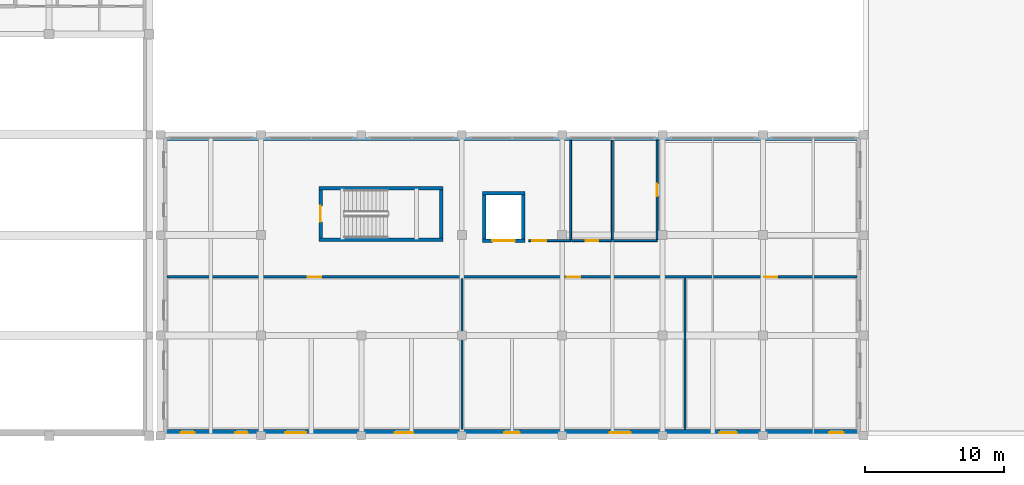
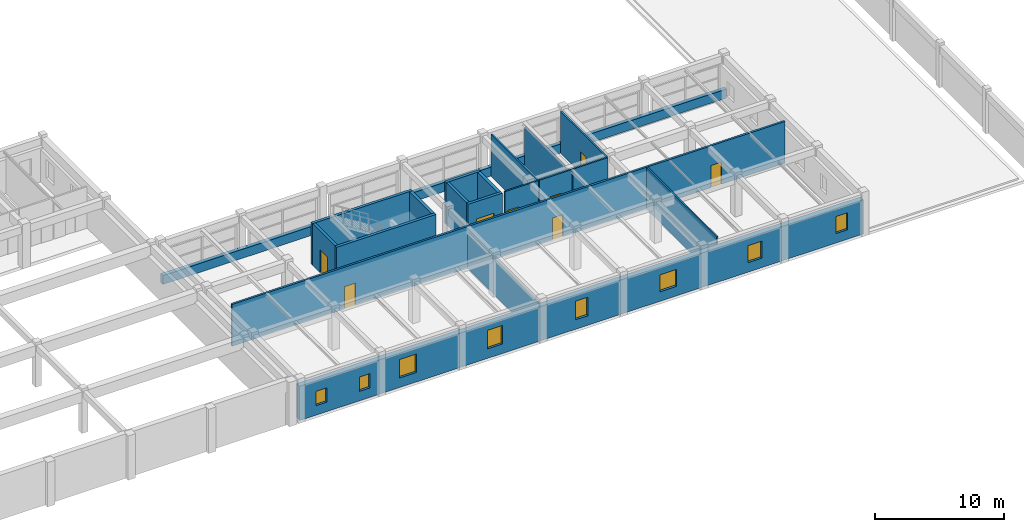
# One storey, part 47 of 67: 19 walls, 8 doors, 8 windows, 16 openings.
"""IFC4 building model written with IfcOpenShell, lengths in metres."""

from ifc_helpers import new_model, si_unit, direction, frame, frame_2d, origin, place, context, subcontext, project, spatial, rectangle, extrude, material, layer, layer_set, type_object, element, fill, save


model = new_model("IFC4")

# Units and contexts
model_context = context("Model", 3, precision=1e-05, world=origin(), true_north=direction((0.0, 1.0)))
body_context = subcontext(model_context, "Body", "Model", "MODEL_VIEW")
ifc_project = project(units=[si_unit("LENGTHUNIT", "METRE"), si_unit("AREAUNIT", "SQUARE_METRE"), si_unit("VOLUMEUNIT", "CUBIC_METRE"), si_unit("PLANEANGLEUNIT", "RADIAN"), si_unit("MASSUNIT", "GRAM", prefix="KILO")], contexts=[model_context])

# Site, building, storey
site_placement = place(None, origin())
site = spatial("IfcSite", under=ifc_project, at=site_placement, CompositionType="ELEMENT")
building_placement = place(site_placement, origin())
building = spatial("IfcBuilding", under=site, at=building_placement, Name="Bramveld Media Centre", CompositionType="ELEMENT")
storey_placement = place(building_placement, frame((0.0, 0.0, 5.39990234375)))
storey = spatial("IfcBuildingStorey", under=building, at=storey_placement, Name="L01", CompositionType="ELEMENT", Elevation=5.39990234375)

# Walls
ifc_material_1 = material(Name="Concrete C40/50 stair & lift core wall", Category="concrete")
ifc_layer_1 = layer(ifc_material_1, 0.25)
ifc_layer_set_1 = layer_set([ifc_layer_1], Name="Concrete C40/50 stair & lift core wall")
wall_type_1 = type_object("IfcWallType", Name="CWALL-SHEAR-250", PredefinedType="SHEAR", material=ifc_layer_set_1)
for number, where, z_axis, x_axis, name in (
    (1, (69.75, 14.074951171875, 0.0), (0.0, 0.0, 1.0), (1.0, 0.0, 0.0), "ST-06 L01 stair core shear wall S"),
    (2, (78.64990234375, 17.77490234375, 0.0), (0.0, 0.0, 1.0), (-1.0, 0.0, 0.0), "ST-06 L01 stair core shear wall N"),
):
    element("IfcWall", number, at=place(storey_placement, frame(where, z_axis=z_axis, x_axis=x_axis)), inside=storey, type_object=wall_type_1, Name=name, PredefinedType="SHEAR", context=body_context, shape_type="SweptSolid", body=[
        extrude(rectangle(XDim=8.89990234375, YDim=0.25, at=frame_2d((4.449951171875, 0.0))), origin(), (0.0, 0.0, 1.0), 3.9501953125),
    ])

# Wall, opening, door
wall_1_placement = place(storey_placement, frame((69.875, 17.64990234375, 0.0), z_axis=(0.0, 0.0, 1.0), x_axis=(0.0, -1.0, 0.0)))
wall_1 = element("IfcWall", 3, at=wall_1_placement, inside=storey, type_object=wall_type_1, Name="ST-06 L01 stair core shear wall W", PredefinedType="SHEAR", context=body_context, shape_type="SweptSolid", body=[
    extrude(rectangle(XDim=3.449951171875, YDim=0.25, at=frame_2d((1.72509765625, 0.0))), origin(), (0.0, 0.0, 1.0), 3.9501953125),
])
opening_1_placement = place(wall_1_placement, frame((1.14990234375, 0.0, 0.0)))
opening_1 = element("IfcOpeningElement", 4, at=opening_1_placement, cuts=wall_1, Name="Opening SD-06-L01", PredefinedType="OPENING", context=body_context, shape_type="SweptSolid", body=[
    extrude(rectangle(XDim=1.14990234375, YDim=2.14990234375, at=frame_2d((0.574951171875, 1.074951171875))), frame((0.0, 0.136962890625, 0.0), z_axis=(0.0, -1.0, 0.0), x_axis=(1.0, 0.0, 0.0)), (0.0, 0.0, 1.0), 0.27392578125),
])
ifc_material_2 = material(Name="Painted galvanized steel acoustic fire door with intumescent smoke seals", Category="steel")
door_type_1 = type_object("IfcDoorType", Name="DR-ST-1150", OperationType="NOTDEFINED", PredefinedType="DOOR", material=ifc_material_2)
door_1_placement = place(opening_1_placement, origin())
door_1 = element("IfcDoor", 5, at=door_1_placement, inside=storey, type_object=door_type_1, Name="ST-06 L01 pressurized stair fire door", OperationType="SINGLE_SWING_LEFT", OverallHeight=2.14990234375, OverallWidth=1.14990234375, PredefinedType="DOOR", context=body_context, shape_type="SweptSolid", body=[
    extrude(rectangle(XDim=1.14990234375, YDim=2.14990234375, at=frame_2d((0.574951171875, 1.074951171875))), frame((0.0, 0.02490234375, 0.0), z_axis=(0.0, -1.0, 0.0), x_axis=(1.0, 0.0, 0.0)), (0.0, 0.0, 1.0), 0.050048828125),
])
fill(opening_1, door_1)

# Wall
wall_2_placement = place(storey_placement, frame((78.52490234375, 14.199951171875, 0.0), z_axis=(0.0, 0.0, 1.0), x_axis=(0.0, 1.0, 0.0)))
element("IfcWall", 6, at=wall_2_placement, inside=storey, type_object=wall_type_1, Name="ST-06 L01 stair core shear wall E", PredefinedType="SHEAR", context=body_context, shape_type="SweptSolid", body=[
    extrude(rectangle(XDim=3.449951171875, YDim=0.25, at=frame_2d((1.72509765625, 0.0))), origin(), (0.0, 0.0, 1.0), 3.9501953125),
])

# Wall, opening, door
wall_3_placement = place(storey_placement, frame((81.47509765625, 14.0, 0.0), z_axis=(0.0, 0.0, 1.0), x_axis=(1.0, 0.0, 0.0)))
wall_3 = element("IfcWall", 7, at=wall_3_placement, inside=storey, type_object=wall_type_1, Name="GL-01 L01 lift shaft wall S", PredefinedType="SHEAR", context=body_context, shape_type="SweptSolid", body=[
    extrude(rectangle(XDim=3.0498046875, YDim=0.25, at=frame_2d((1.52490234375, 0.0))), origin(), (0.0, 0.0, 1.0), 3.9501953125),
])
opening_2_placement = place(wall_3_placement, frame((0.72509765625, 0.0, 0.0)))
opening_2 = element("IfcOpeningElement", 8, at=opening_2_placement, cuts=wall_3, Name="Opening LD-04-01-L01", PredefinedType="OPENING", context=body_context, shape_type="SweptSolid", body=[
    extrude(rectangle(XDim=1.60009765625, YDim=2.300048828125, at=frame_2d((0.800048828125, 1.14990234375))), frame((0.0, 0.136962890625, 0.0), z_axis=(0.0, -1.0, 0.0), x_axis=(1.0, 0.0, 0.0)), (0.0, 0.0, 1.0), 0.27392578125),
])
ifc_material_3 = material(Name="Brushed stainless steel automatic fire-rated sliding lift landing door", Category="steel")
door_type_2 = type_object("IfcDoorType", Name="LD-TYPE-04", OperationType="DOUBLE_DOOR_SLIDING", PredefinedType="DOOR", material=ifc_material_3)
door_2_placement = place(opening_2_placement, origin())
door_2 = element("IfcDoor", 9, at=door_2_placement, inside=storey, type_object=door_type_2, Name="GL-01 L01 sliding lift landing door", OperationType="DOUBLE_DOOR_SLIDING", OverallHeight=2.300048828125, OverallWidth=1.60009765625, PredefinedType="DOOR", context=body_context, shape_type="SweptSolid", body=[
    extrude(rectangle(XDim=1.60009765625, YDim=2.300048828125, at=frame_2d((0.800048828125, 1.14990234375))), frame((0.0, 0.02490234375, 0.0), z_axis=(0.0, -1.0, 0.0), x_axis=(1.0, 0.0, 0.0)), (0.0, 0.0, 1.0), 0.050048828125),
])
fill(opening_2, door_2)

# Walls
wall_4_placement = place(storey_placement, frame((84.52490234375, 17.39990234375, 0.0), z_axis=(0.0, 0.0, 1.0), x_axis=(-1.0, 0.0, 0.0)))
element("IfcWall", 10, at=wall_4_placement, inside=storey, type_object=wall_type_1, Name="GL-01 L01 lift shaft wall N", PredefinedType="SHEAR", context=body_context, shape_type="SweptSolid", body=[
    extrude(rectangle(XDim=3.0498046875, YDim=0.25, at=frame_2d((1.52490234375, 0.0))), origin(), (0.0, 0.0, 1.0), 3.9501953125),
])
for number, where, z_axis, x_axis, name in (
    (11, (81.60009765625, 17.39990234375, 0.0), (0.0, 0.0, 1.0), (0.0, -1.0, 0.0), "GL-01 L01 lift shaft wall W"),
    (12, (84.39990234375, 14.0, 0.0), (0.0, 0.0, 1.0), (0.0, 1.0, 0.0), "GL-01 L01 lift shaft wall E"),
):
    element("IfcWall", number, at=place(storey_placement, frame(where, z_axis=z_axis, x_axis=x_axis)), inside=storey, type_object=wall_type_1, Name=name, PredefinedType="SHEAR", context=body_context, shape_type="SweptSolid", body=[
        extrude(rectangle(XDim=3.39990234375, YDim=0.25, at=frame_2d((1.699951171875, 0.0))), origin(), (0.0, 0.0, 1.0), 3.9501953125),
    ])
ifc_material_4 = material(Name="Perforated acoustic brick-faced insulated spandrel wall", Category="masonry")
ifc_layer_2 = layer(ifc_material_4, 0.35009765625)
ifc_layer_set_2 = layer_set([ifc_layer_2], Name="Perforated acoustic brick-faced insulated spandrel wall")
wall_type_2 = type_object("IfcWallType", Name="EW-BRK-350", PredefinedType="SOLIDWALL", material=ifc_layer_set_2)
wall_5_placement = place(storey_placement, frame((58.39990234375, 21.3701171875, 0.0), z_axis=(0.0, 0.0, 1.0), x_axis=(1.0, 0.0, 0.0)))
element("IfcWall", 13, at=wall_5_placement, inside=storey, type_object=wall_type_2, Name="V5 L01 N masonry spandrel sill wall", PredefinedType="SOLIDWALL", context=body_context, shape_type="SweptSolid", body=[
    extrude(rectangle(XDim=50.400146484375, YDim=0.35009765625, at=frame_2d((25.2001953125, 0.0))), origin(), (0.0, 0.0, 1.0), 0.85009765625),
])

# Wall, openings, windows
ifc_material_5 = material(Name="Flemish red-brown clay facing brick cavity wall with concrete C35/45 inner leaf", Category="masonry")
ifc_layer_3 = layer(ifc_material_5, 0.4599609375)
ifc_layer_set_3 = layer_set([ifc_layer_3], Name="Flemish red-brown clay facing brick cavity wall with concrete C35/45 inner leaf")
wall_type_3 = type_object("IfcWallType", Name="EW-BRK-460", PredefinedType="SOLIDWALL", material=ifc_layer_set_3)
wall_6_placement = place(storey_placement, frame((108.800048828125, 0.22998046875, 0.0), z_axis=(0.0, 0.0, 1.0), x_axis=(-1.0, 0.0, 0.0)))
wall_6 = element("IfcWall", 14, at=wall_6_placement, inside=storey, type_object=wall_type_3, Name="V5 L01 S facing brick exterior wall", PredefinedType="SOLIDWALL", context=body_context, shape_type="SweptSolid", body=[
    extrude(rectangle(XDim=50.400146484375, YDim=0.4599609375, at=frame_2d((25.2001953125, 0.0))), origin(), (0.0, 0.0, 1.0), 3.2451171875),
])
opening_3_placement = place(wall_6_placement, frame((1.41357421875, 0.0, 0.89990234375)))
opening_3 = element("IfcOpeningElement", 15, at=opening_3_placement, cuts=wall_6, Name="Opening W-14", PredefinedType="OPENING", context=body_context, shape_type="SweptSolid", body=[
    extrude(rectangle(XDim=1.050048828125, YDim=1.60009765625, at=frame_2d((0.52490234375, 0.800048828125))), frame((0.0, 0.241943359375, 0.0), z_axis=(0.0, -1.0, 0.0), x_axis=(1.0, 0.0, 0.0)), (0.0, 0.0, 1.0), 0.48388671875),
])
opening_4_placement = place(wall_6_placement, frame((9.0673828125, 0.0, 0.89990234375)))
opening_4 = element("IfcOpeningElement", 16, at=opening_4_placement, cuts=wall_6, Name="Opening W-16", PredefinedType="OPENING", context=body_context, shape_type="SweptSolid", body=[
    extrude(rectangle(XDim=1.25, YDim=1.60009765625, at=frame_2d((0.625, 0.800048828125))), frame((0.0, 0.241943359375, 0.0), z_axis=(0.0, -1.0, 0.0), x_axis=(1.0, 0.0, 0.0)), (0.0, 0.0, 1.0), 0.48388671875),
])
opening_5_placement = place(wall_6_placement, frame((16.6962890625, 0.0, 0.89990234375)))
opening_5 = element("IfcOpeningElement", 17, at=opening_5_placement, cuts=wall_6, Name="Opening W-18", PredefinedType="OPENING", context=body_context, shape_type="SweptSolid", body=[
    extrude(rectangle(XDim=1.5, YDim=1.60009765625, at=frame_2d((0.75, 0.800048828125))), frame((0.0, 0.241943359375, 0.0), z_axis=(0.0, -1.0, 0.0), x_axis=(1.0, 0.0, 0.0)), (0.0, 0.0, 1.0), 0.48388671875),
])
opening_6_placement = place(wall_6_placement, frame((24.639892578125, 0.0, 0.89990234375)))
opening_6 = element("IfcOpeningElement", 18, at=opening_6_placement, cuts=wall_6, Name="Opening W-20", PredefinedType="OPENING", context=body_context, shape_type="SweptSolid", body=[
    extrude(rectangle(XDim=1.1201171875, YDim=1.75, at=frame_2d((0.56005859375, 0.875))), frame((0.0, 0.241943359375, 0.0), z_axis=(0.0, -1.0, 0.0), x_axis=(1.0, 0.0, 0.0)), (0.0, 0.0, 1.0), 0.48388671875),
])
opening_7_placement = place(wall_6_placement, frame((32.28369140625, 0.0, 0.89990234375)))
opening_7 = element("IfcOpeningElement", 19, at=opening_7_placement, cuts=wall_6, Name="Opening W-22", PredefinedType="OPENING", context=body_context, shape_type="SweptSolid", body=[
    extrude(rectangle(XDim=1.340087890625, YDim=1.75, at=frame_2d((0.669921875, 0.875))), frame((0.0, 0.241943359375, 0.0), z_axis=(0.0, -1.0, 0.0), x_axis=(1.0, 0.0, 0.0)), (0.0, 0.0, 1.0), 0.48388671875),
])
opening_8_placement = place(wall_6_placement, frame((39.957763671875, 0.0, 0.89990234375)))
opening_8 = element("IfcOpeningElement", 20, at=opening_8_placement, cuts=wall_6, Name="Opening W-24", PredefinedType="OPENING", context=body_context, shape_type="SweptSolid", body=[
    extrude(rectangle(XDim=1.5, YDim=1.75, at=frame_2d((0.75, 0.875))), frame((0.0, 0.241943359375, 0.0), z_axis=(0.0, -1.0, 0.0), x_axis=(1.0, 0.0, 0.0)), (0.0, 0.0, 1.0), 0.48388671875),
])
opening_9_placement = place(wall_6_placement, frame((44.134521484375, 0.0, 0.89990234375)))
opening_9 = element("IfcOpeningElement", 21, at=opening_9_placement, cuts=wall_6, Name="Opening W-01", PredefinedType="OPENING", context=body_context, shape_type="SweptSolid", body=[
    extrude(rectangle(XDim=0.89990234375, YDim=1.35009765625, at=frame_2d((0.449951171875, 0.675048828125))), frame((0.0, 0.241943359375, 0.0), z_axis=(0.0, -1.0, 0.0), x_axis=(1.0, 0.0, 0.0)), (0.0, 0.0, 1.0), 0.48388671875),
])
opening_10_placement = place(wall_6_placement, frame((47.96142578125, 0.0, 0.89990234375)))
opening_10 = element("IfcOpeningElement", 22, at=opening_10_placement, cuts=wall_6, Name="Opening W-02", PredefinedType="OPENING", context=body_context, shape_type="SweptSolid", body=[
    extrude(rectangle(XDim=1.0, YDim=1.35009765625, at=frame_2d((0.5, 0.675048828125))), frame((0.0, 0.241943359375, 0.0), z_axis=(0.0, -1.0, 0.0), x_axis=(1.0, 0.0, 0.0)), (0.0, 0.0, 1.0), 0.48388671875),
])
ifc_material_6 = material(Name="Thermally broken anodized bronze aluminium frame with triple acoustic glazing", Category="aluminium")
window_type_1 = type_object("IfcWindowType", Name="WIN-FAC-01", PartitioningType="SINGLE_PANEL", PredefinedType="WINDOW", material=ifc_material_6)
window_1_placement = place(opening_9_placement, origin())
window_1 = element("IfcWindow", 23, at=window_1_placement, inside=storey, type_object=window_type_1, Name="V5 L01 S acoustic facade window", OverallHeight=1.35009765625, OverallWidth=0.89990234375, PartitioningType="SINGLE_PANEL", PredefinedType="WINDOW", context=body_context, shape_type="SweptSolid", body=[
    extrude(rectangle(XDim=0.89990234375, YDim=1.35009765625, at=frame_2d((0.449951171875, 0.675048828125))), frame((0.0, 0.030029296875, 0.0), z_axis=(0.0, -1.0, 0.0), x_axis=(1.0, 0.0, 0.0)), (0.0, 0.0, 1.0), 0.06005859375),
])
fill(opening_9, window_1)
ifc_material_7 = material(Name="Thermally broken anodized bronze aluminium frame with triple acoustic glazing", Category="aluminium")
window_type_2 = type_object("IfcWindowType", Name="WIN-FAC-02", PartitioningType="SINGLE_PANEL", PredefinedType="WINDOW", material=ifc_material_7)
window_2_placement = place(opening_10_placement, origin())
window_2 = element("IfcWindow", 24, at=window_2_placement, inside=storey, type_object=window_type_2, Name="V5 L01 S acoustic facade window", OverallHeight=1.35009765625, OverallWidth=1.0, PartitioningType="SINGLE_PANEL", PredefinedType="WINDOW", context=body_context, shape_type="SweptSolid", body=[
    extrude(rectangle(XDim=1.0, YDim=1.35009765625, at=frame_2d((0.5, 0.675048828125))), frame((0.0, 0.030029296875, 0.0), z_axis=(0.0, -1.0, 0.0), x_axis=(1.0, 0.0, 0.0)), (0.0, 0.0, 1.0), 0.06005859375),
])
fill(opening_10, window_2)
ifc_material_8 = material(Name="Thermally broken anodized bronze aluminium frame with triple acoustic glazing", Category="aluminium")
window_type_3 = type_object("IfcWindowType", Name="WIN-FAC-14", PartitioningType="SINGLE_PANEL", PredefinedType="WINDOW", material=ifc_material_8)
window_3_placement = place(opening_3_placement, origin())
window_3 = element("IfcWindow", 25, at=window_3_placement, inside=storey, type_object=window_type_3, Name="V5 L01 S acoustic facade window", OverallHeight=1.60009765625, OverallWidth=1.050048828125, PartitioningType="SINGLE_PANEL", PredefinedType="WINDOW", context=body_context, shape_type="SweptSolid", body=[
    extrude(rectangle(XDim=1.050048828125, YDim=1.60009765625, at=frame_2d((0.52490234375, 0.800048828125))), frame((0.0, 0.030029296875, 0.0), z_axis=(0.0, -1.0, 0.0), x_axis=(1.0, 0.0, 0.0)), (0.0, 0.0, 1.0), 0.06005859375),
])
fill(opening_3, window_3)
ifc_material_9 = material(Name="Thermally broken anodized bronze aluminium frame with triple acoustic glazing", Category="aluminium")
window_type_4 = type_object("IfcWindowType", Name="WIN-FAC-16", PartitioningType="SINGLE_PANEL", PredefinedType="WINDOW", material=ifc_material_9)
window_4_placement = place(opening_4_placement, origin())
window_4 = element("IfcWindow", 26, at=window_4_placement, inside=storey, type_object=window_type_4, Name="V5 L01 S acoustic facade window", OverallHeight=1.60009765625, OverallWidth=1.25, PartitioningType="SINGLE_PANEL", PredefinedType="WINDOW", context=body_context, shape_type="SweptSolid", body=[
    extrude(rectangle(XDim=1.25, YDim=1.60009765625, at=frame_2d((0.625, 0.800048828125))), frame((0.0, 0.030029296875, 0.0), z_axis=(0.0, -1.0, 0.0), x_axis=(1.0, 0.0, 0.0)), (0.0, 0.0, 1.0), 0.06005859375),
])
fill(opening_4, window_4)
ifc_material_10 = material(Name="Thermally broken anodized bronze aluminium frame with triple acoustic glazing", Category="aluminium")
window_type_5 = type_object("IfcWindowType", Name="WIN-FAC-18", PartitioningType="SINGLE_PANEL", PredefinedType="WINDOW", material=ifc_material_10)
window_5_placement = place(opening_5_placement, origin())
window_5 = element("IfcWindow", 27, at=window_5_placement, inside=storey, type_object=window_type_5, Name="V5 L01 S acoustic facade window", OverallHeight=1.60009765625, OverallWidth=1.5, PartitioningType="SINGLE_PANEL", PredefinedType="WINDOW", context=body_context, shape_type="SweptSolid", body=[
    extrude(rectangle(XDim=1.5, YDim=1.60009765625, at=frame_2d((0.75, 0.800048828125))), frame((0.0, 0.030029296875, 0.0), z_axis=(0.0, -1.0, 0.0), x_axis=(1.0, 0.0, 0.0)), (0.0, 0.0, 1.0), 0.06005859375),
])
fill(opening_5, window_5)
ifc_material_11 = material(Name="Thermally broken anodized bronze aluminium frame with triple acoustic glazing", Category="aluminium")
window_type_6 = type_object("IfcWindowType", Name="WIN-FAC-20", PartitioningType="SINGLE_PANEL", PredefinedType="WINDOW", material=ifc_material_11)
window_6_placement = place(opening_6_placement, origin())
window_6 = element("IfcWindow", 28, at=window_6_placement, inside=storey, type_object=window_type_6, Name="V5 L01 S acoustic facade window", OverallHeight=1.75, OverallWidth=1.1201171875, PartitioningType="SINGLE_PANEL", PredefinedType="WINDOW", context=body_context, shape_type="SweptSolid", body=[
    extrude(rectangle(XDim=1.1201171875, YDim=1.75, at=frame_2d((0.56005859375, 0.875))), frame((0.0, 0.030029296875, 0.0), z_axis=(0.0, -1.0, 0.0), x_axis=(1.0, 0.0, 0.0)), (0.0, 0.0, 1.0), 0.06005859375),
])
fill(opening_6, window_6)
ifc_material_12 = material(Name="Thermally broken anodized bronze aluminium frame with triple acoustic glazing", Category="aluminium")
window_type_7 = type_object("IfcWindowType", Name="WIN-FAC-22", PartitioningType="SINGLE_PANEL", PredefinedType="WINDOW", material=ifc_material_12)
window_7_placement = place(opening_7_placement, origin())
window_7 = element("IfcWindow", 29, at=window_7_placement, inside=storey, type_object=window_type_7, Name="V5 L01 S acoustic facade window", OverallHeight=1.75, OverallWidth=1.340087890625, PartitioningType="SINGLE_PANEL", PredefinedType="WINDOW", context=body_context, shape_type="SweptSolid", body=[
    extrude(rectangle(XDim=1.340087890625, YDim=1.75, at=frame_2d((0.669921875, 0.875))), frame((0.0, 0.030029296875, 0.0), z_axis=(0.0, -1.0, 0.0), x_axis=(1.0, 0.0, 0.0)), (0.0, 0.0, 1.0), 0.06005859375),
])
fill(opening_7, window_7)
ifc_material_13 = material(Name="Thermally broken anodized bronze aluminium frame with triple acoustic glazing", Category="aluminium")
window_type_8 = type_object("IfcWindowType", Name="WIN-FAC-24", PartitioningType="SINGLE_PANEL", PredefinedType="WINDOW", material=ifc_material_13)
window_8_placement = place(opening_8_placement, origin())
window_8 = element("IfcWindow", 30, at=window_8_placement, inside=storey, type_object=window_type_8, Name="V5 L01 S acoustic facade window", OverallHeight=1.75, OverallWidth=1.5, PartitioningType="SINGLE_PANEL", PredefinedType="WINDOW", context=body_context, shape_type="SweptSolid", body=[
    extrude(rectangle(XDim=1.5, YDim=1.75, at=frame_2d((0.75, 0.875))), frame((0.0, 0.030029296875, 0.0), z_axis=(0.0, -1.0, 0.0), x_axis=(1.0, 0.0, 0.0)), (0.0, 0.0, 1.0), 0.06005859375),
])
fill(opening_8, window_8)

# Wall, openings, doors
ifc_material_14 = material(Name="Fire-rated twin-frame gypsum corridor wall", Category="gypsum")
ifc_layer_4 = layer(ifc_material_14, 0.179931640625)
ifc_layer_set_4 = layer_set([ifc_layer_4], Name="Fire-rated twin-frame gypsum corridor wall")
wall_type_4 = type_object("IfcWallType", Name="IW-FIRE-180", PredefinedType="PARTITIONING", material=ifc_layer_set_4)
wall_7_placement = place(storey_placement, frame((58.8701171875, 11.39990234375, 0.0), z_axis=(0.0, 0.0, 1.0), x_axis=(1.0, 0.0, 0.0)))
wall_7 = element("IfcWall", 31, at=wall_7_placement, inside=storey, type_object=wall_type_4, Name="Mediatheque Browsing Corridor partition wall", PredefinedType="PARTITIONING", context=body_context, shape_type="SweptSolid", body=[
    extrude(rectangle(XDim=49.4599609375, YDim=0.179931640625, at=frame_2d((24.72998046875, 0.0))), origin(), (0.0, 0.0, 1.0), 3.9501953125),
])
opening_11_placement = place(wall_7_placement, frame((10.074951171875, 0.0, 0.0)))
opening_11 = element("IfcOpeningElement", 32, at=opening_11_placement, cuts=wall_7, Name="Opening D-01-075", PredefinedType="OPENING", context=body_context, shape_type="SweptSolid", body=[
    extrude(rectangle(XDim=0.97998046875, YDim=2.1201171875, at=frame_2d((0.489990234375, 1.06005859375))), frame((0.0, 0.10205078125, 0.0), z_axis=(0.0, -1.0, 0.0), x_axis=(1.0, 0.0, 0.0)), (0.0, 0.0, 1.0), 0.203857421875),
])
opening_12_placement = place(wall_7_placement, frame((28.64990234375, 0.0, 0.0)))
opening_12 = element("IfcOpeningElement", 33, at=opening_12_placement, cuts=wall_7, Name="Opening D-01-076", PredefinedType="OPENING", context=body_context, shape_type="SweptSolid", body=[
    extrude(rectangle(XDim=0.9599609375, YDim=2.10009765625, at=frame_2d((0.47998046875, 1.050048828125))), frame((0.0, 0.10205078125, 0.0), z_axis=(0.0, -1.0, 0.0), x_axis=(1.0, 0.0, 0.0)), (0.0, 0.0, 1.0), 0.203857421875),
])
opening_13_placement = place(wall_7_placement, frame((42.824951171875, 0.0, 0.0)))
opening_13 = element("IfcOpeningElement", 34, at=opening_13_placement, cuts=wall_7, Name="Opening D-01-077", PredefinedType="OPENING", context=body_context, shape_type="SweptSolid", body=[
    extrude(rectangle(XDim=0.93994140625, YDim=2.10009765625, at=frame_2d((0.469970703125, 1.050048828125))), frame((0.0, 0.10205078125, 0.0), z_axis=(0.0, -1.0, 0.0), x_axis=(1.0, 0.0, 0.0)), (0.0, 0.0, 1.0), 0.203857421875),
])
ifc_material_15 = material(Name="Solid-core European oak acoustic timber leaf in steel frame", Category="steel")
door_type_3 = type_object("IfcDoorType", Name="DR-RM-0940", OperationType="NOTDEFINED", PredefinedType="DOOR", material=ifc_material_15)
door_3_placement = place(opening_13_placement, origin())
door_3 = element("IfcDoor", 35, at=door_3_placement, inside=storey, type_object=door_type_3, Name="Periodicals & Script Library entrance door", OperationType="SINGLE_SWING_RIGHT", OverallHeight=2.10009765625, OverallWidth=0.93994140625, PredefinedType="DOOR", context=body_context, shape_type="SweptSolid", body=[
    extrude(rectangle(XDim=0.93994140625, YDim=2.10009765625, at=frame_2d((0.469970703125, 1.050048828125))), frame((0.0, 0.02490234375, 0.0), z_axis=(0.0, -1.0, 0.0), x_axis=(1.0, 0.0, 0.0)), (0.0, 0.0, 1.0), 0.050048828125),
])
fill(opening_13, door_3)
ifc_material_16 = material(Name="Solid-core European oak acoustic timber leaf in steel frame", Category="steel")
door_type_4 = type_object("IfcDoorType", Name="DR-RM-0960", OperationType="NOTDEFINED", PredefinedType="DOOR", material=ifc_material_16)
door_4_placement = place(opening_12_placement, origin())
door_4 = element("IfcDoor", 36, at=door_4_placement, inside=storey, type_object=door_type_4, Name="Individual Viewing & Listening Carrels entrance door", OperationType="SINGLE_SWING_LEFT", OverallHeight=2.10009765625, OverallWidth=0.9599609375, PredefinedType="DOOR", context=body_context, shape_type="SweptSolid", body=[
    extrude(rectangle(XDim=0.9599609375, YDim=2.10009765625, at=frame_2d((0.47998046875, 1.050048828125))), frame((0.0, 0.02490234375, 0.0), z_axis=(0.0, -1.0, 0.0), x_axis=(1.0, 0.0, 0.0)), (0.0, 0.0, 1.0), 0.050048828125),
])
fill(opening_12, door_4)
ifc_material_17 = material(Name="Solid-core European oak acoustic timber leaf in steel frame", Category="steel")
door_type_5 = type_object("IfcDoorType", Name="DR-RM-0980", OperationType="NOTDEFINED", PredefinedType="DOOR", material=ifc_material_17)
door_5_placement = place(opening_11_placement, origin())
door_5 = element("IfcDoor", 37, at=door_5_placement, inside=storey, type_object=door_type_5, Name="Public Audio-Visual Mediatheque Stacks entrance door", OperationType="SINGLE_SWING_RIGHT", OverallHeight=2.1201171875, OverallWidth=0.97998046875, PredefinedType="DOOR", context=body_context, shape_type="SweptSolid", body=[
    extrude(rectangle(XDim=0.97998046875, YDim=2.1201171875, at=frame_2d((0.489990234375, 1.06005859375))), frame((0.0, 0.02490234375, 0.0), z_axis=(0.0, -1.0, 0.0), x_axis=(1.0, 0.0, 0.0)), (0.0, 0.0, 1.0), 0.050048828125),
])
fill(opening_11, door_5)

# Walls
ifc_material_18 = material(Name="Lightweight acoustic stud partition", Category="gypsum")
ifc_layer_5 = layer(ifc_material_18, 0.125)
ifc_layer_set_5 = layer_set([ifc_layer_5], Name="Lightweight acoustic stud partition")
wall_type_5 = type_object("IfcWallType", Name="IW-PART-125", PredefinedType="PARTITIONING", material=ifc_layer_set_5)
wall_8_placement = place(storey_placement, frame((96.0, 0.469970703125, 0.0), z_axis=(0.0, 0.0, 1.0), x_axis=(0.0, 1.0, 0.0)))
element("IfcWall", 38, at=wall_8_placement, inside=storey, type_object=wall_type_5, Name="Individual Viewing & Listening Carrels partition wall", PredefinedType="PARTITIONING", context=body_context, shape_type="SweptSolid", body=[
    extrude(rectangle(XDim=10.830078125, YDim=0.125, at=frame_2d((5.4150390625, 0.0))), origin(), (0.0, 0.0, 1.0), 3.9501953125),
])
ifc_material_19 = material(Name="Insulated metal-stud gypsum room partition", Category="gypsum")
ifc_layer_6 = layer(ifc_material_19, 0.14990234375)
ifc_layer_set_6 = layer_set([ifc_layer_6], Name="Insulated metal-stud gypsum room partition")
wall_type_6 = type_object("IfcWallType", Name="IW-PART-150", PredefinedType="PARTITIONING", material=ifc_layer_set_6)
wall_9_placement = place(storey_placement, frame((80.0, 0.469970703125, 0.0), z_axis=(0.0, 0.0, 1.0), x_axis=(0.0, 1.0, 0.0)))
element("IfcWall", 39, at=wall_9_placement, inside=storey, type_object=wall_type_6, Name="Public Audio-Visual Mediatheque Stacks partition wall", PredefinedType="PARTITIONING", context=body_context, shape_type="SweptSolid", body=[
    extrude(rectangle(XDim=10.830078125, YDim=0.14990234375, at=frame_2d((5.4150390625, 0.0))), origin(), (0.0, 0.0, 1.0), 3.3251953125),
])

# Wall, opening, door
ifc_material_20 = material(Name="Moisture-resistant cement-board sanitary partition", Category="gypsum")
ifc_layer_7 = layer(ifc_material_20, 0.139892578125)
ifc_layer_set_7 = layer_set([ifc_layer_7], Name="Moisture-resistant cement-board sanitary partition")
wall_type_7 = type_object("IfcWallType", Name="IW-WET-140", PredefinedType="PARTITIONING", material=ifc_layer_set_7)
wall_10_placement = place(storey_placement, frame((84.800048828125, 14.0, 0.0), z_axis=(0.0, 0.0, 1.0), x_axis=(1.0, 0.0, 0.0)))
wall_10 = element("IfcWall", 40, at=wall_10_placement, inside=storey, type_object=wall_type_7, Name="Accessible WC partition wall", PredefinedType="PARTITIONING", context=body_context, shape_type="SweptSolid", body=[
    extrude(rectangle(XDim=3.0, YDim=0.139892578125, at=frame_2d((1.5, 0.0))), origin(), (0.0, 0.0, 1.0), 3.9501953125),
])
opening_14_placement = place(wall_10_placement, frame((0.25, 0.0, 0.0)))
opening_14 = element("IfcOpeningElement", 41, at=opening_14_placement, cuts=wall_10, Name="Opening D-01-078", PredefinedType="OPENING", context=body_context, shape_type="SweptSolid", body=[
    extrude(rectangle(XDim=1.0, YDim=2.10009765625, at=frame_2d((0.5, 1.050048828125))), frame((0.0, 0.08203125, 0.0), z_axis=(0.0, -1.0, 0.0), x_axis=(1.0, 0.0, 0.0)), (0.0, 0.0, 1.0), 0.163818359375),
])
ifc_material_21 = material(Name="Solid-core European oak acoustic timber leaf in steel frame", Category="steel")
door_type_6 = type_object("IfcDoorType", Name="DR-WC-PMR-1000", OperationType="NOTDEFINED", PredefinedType="DOOR", material=ifc_material_21)
door_6_placement = place(opening_14_placement, origin())
door_6 = element("IfcDoor", 42, at=door_6_placement, inside=storey, type_object=door_type_6, Name="Accessible WC entrance door", OperationType="SINGLE_SWING_LEFT", OverallHeight=2.10009765625, OverallWidth=1.0, PredefinedType="DOOR", context=body_context, shape_type="SweptSolid", body=[
    extrude(rectangle(XDim=1.0, YDim=2.10009765625, at=frame_2d((0.5, 1.050048828125))), frame((0.0, 0.02490234375, 0.0), z_axis=(0.0, -1.0, 0.0), x_axis=(1.0, 0.0, 0.0)), (0.0, 0.0, 1.0), 0.050048828125),
])
fill(opening_14, door_6)

# Wall
wall_11_placement = place(storey_placement, frame((87.800048828125, 14.080078125, 0.0), z_axis=(0.0, 0.0, 1.0), x_axis=(0.0, 1.0, 0.0)))
element("IfcWall", 43, at=wall_11_placement, inside=storey, type_object=wall_type_7, Name="Accessible WC partition wall", PredefinedType="PARTITIONING", context=body_context, shape_type="SweptSolid", body=[
    extrude(rectangle(XDim=7.10498046875, YDim=0.139892578125, at=frame_2d((3.552490234375, 0.0))), origin(), (0.0, 0.0, 1.0), 3.9501953125),
])

# Wall, opening, door
wall_12_placement = place(storey_placement, frame((87.8798828125, 14.0, 0.0), z_axis=(0.0, 0.0, 1.0), x_axis=(1.0, 0.0, 0.0)))
wall_12 = element("IfcWall", 44, at=wall_12_placement, inside=storey, type_object=wall_type_7, Name="Male WC partition wall", PredefinedType="PARTITIONING", context=body_context, shape_type="SweptSolid", body=[
    extrude(rectangle(XDim=2.920166015625, YDim=0.139892578125, at=frame_2d((1.4599609375, 0.0))), origin(), (0.0, 0.0, 1.0), 3.9501953125),
])
opening_15_placement = place(wall_12_placement, frame((1.0048828125, 0.0, 0.0)))
opening_15 = element("IfcOpeningElement", 45, at=opening_15_placement, cuts=wall_12, Name="Opening D-01-079", PredefinedType="OPENING", context=body_context, shape_type="SweptSolid", body=[
    extrude(rectangle(XDim=0.909912109375, YDim=2.06005859375, at=frame_2d((0.455078125, 1.030029296875))), frame((0.0, 0.08203125, 0.0), z_axis=(0.0, -1.0, 0.0), x_axis=(1.0, 0.0, 0.0)), (0.0, 0.0, 1.0), 0.163818359375),
])
ifc_material_22 = material(Name="Solid-core European oak acoustic timber leaf in steel frame", Category="steel")
door_type_7 = type_object("IfcDoorType", Name="DR-WC-0910", OperationType="NOTDEFINED", PredefinedType="DOOR", material=ifc_material_22)
door_7_placement = place(opening_15_placement, origin())
door_7 = element("IfcDoor", 46, at=door_7_placement, inside=storey, type_object=door_type_7, Name="Male WC entrance door", OperationType="SINGLE_SWING_RIGHT", OverallHeight=2.06005859375, OverallWidth=0.909912109375, PredefinedType="DOOR", context=body_context, shape_type="SweptSolid", body=[
    extrude(rectangle(XDim=0.909912109375, YDim=2.06005859375, at=frame_2d((0.455078125, 1.030029296875))), frame((0.0, 0.02490234375, 0.0), z_axis=(0.0, -1.0, 0.0), x_axis=(1.0, 0.0, 0.0)), (0.0, 0.0, 1.0), 0.050048828125),
])
fill(opening_15, door_7)

# Walls
wall_13_placement = place(storey_placement, frame((90.800048828125, 14.080078125, 0.0), z_axis=(0.0, 0.0, 1.0), x_axis=(0.0, 1.0, 0.0)))
element("IfcWall", 47, at=wall_13_placement, inside=storey, type_object=wall_type_7, Name="Male WC partition wall", PredefinedType="PARTITIONING", context=body_context, shape_type="SweptSolid", body=[
    extrude(rectangle(XDim=7.10498046875, YDim=0.139892578125, at=frame_2d((3.552490234375, 0.0))), origin(), (0.0, 0.0, 1.0), 3.60498046875),
])
wall_14_placement = place(storey_placement, frame((90.8798828125, 14.0, 0.0), z_axis=(0.0, 0.0, 1.0), x_axis=(1.0, 0.0, 0.0)))
element("IfcWall", 48, at=wall_14_placement, inside=storey, type_object=wall_type_7, Name="Female WC partition wall", PredefinedType="PARTITIONING", context=body_context, shape_type="SweptSolid", body=[
    extrude(rectangle(XDim=3.1201171875, YDim=0.139892578125, at=frame_2d((1.56005859375, 0.0))), origin(), (0.0, 0.0, 1.0), 3.9501953125),
])

# Wall, opening, door
wall_15_placement = place(storey_placement, frame((94.0, 14.080078125, 0.0), z_axis=(0.0, 0.0, 1.0), x_axis=(0.0, 1.0, 0.0)))
wall_15 = element("IfcWall", 49, at=wall_15_placement, inside=storey, type_object=wall_type_7, Name="Female WC partition wall", PredefinedType="PARTITIONING", context=body_context, shape_type="SweptSolid", body=[
    extrude(rectangle(XDim=7.10498046875, YDim=0.139892578125, at=frame_2d((3.552490234375, 0.0))), origin(), (0.0, 0.0, 1.0), 3.9501953125),
])
opening_16_placement = place(wall_15_placement, frame((3.107421875, 0.0, 0.0)))
opening_16 = element("IfcOpeningElement", 50, at=opening_16_placement, cuts=wall_15, Name="Opening D-01-080", PredefinedType="OPENING", context=body_context, shape_type="SweptSolid", body=[
    extrude(rectangle(XDim=0.889892578125, YDim=2.050048828125, at=frame_2d((0.44482421875, 1.02490234375))), frame((0.0, 0.08203125, 0.0), z_axis=(0.0, -1.0, 0.0), x_axis=(1.0, 0.0, 0.0)), (0.0, 0.0, 1.0), 0.163818359375),
])
ifc_material_23 = material(Name="Solid-core European oak acoustic timber leaf in steel frame", Category="steel")
door_type_8 = type_object("IfcDoorType", Name="DR-WC-0890", OperationType="NOTDEFINED", PredefinedType="DOOR", material=ifc_material_23)
door_8_placement = place(opening_16_placement, origin())
door_8 = element("IfcDoor", 51, at=door_8_placement, inside=storey, type_object=door_type_8, Name="Female WC entrance door", OperationType="SINGLE_SWING_LEFT", OverallHeight=2.050048828125, OverallWidth=0.889892578125, PredefinedType="DOOR", context=body_context, shape_type="SweptSolid", body=[
    extrude(rectangle(XDim=0.889892578125, YDim=2.050048828125, at=frame_2d((0.44482421875, 1.02490234375))), frame((0.0, 0.02490234375, 0.0), z_axis=(0.0, -1.0, 0.0), x_axis=(1.0, 0.0, 0.0)), (0.0, 0.0, 1.0), 0.050048828125),
])
fill(opening_16, door_8)

save(model, "model.ifc")
